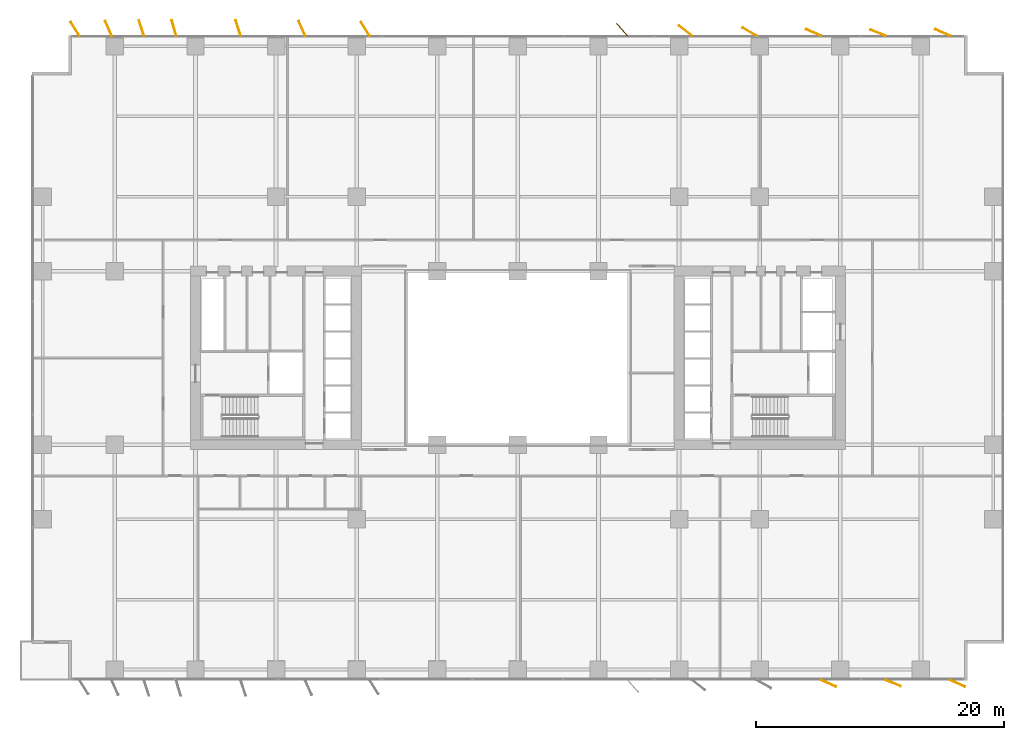
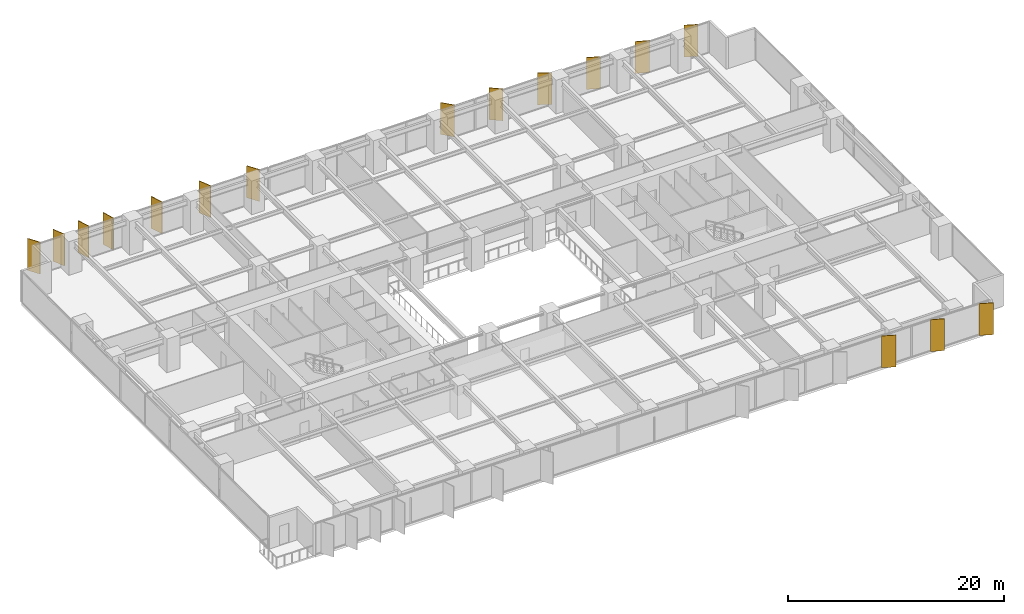
# One storey, part 21 of 21: 16 shading devices.
"""IFC4 building model written with IfcOpenShell, lengths in metres."""

from ifc_helpers import new_model, si_unit, direction, frame, origin, origin_2d, place, context, subcontext, project, spatial, rectangle, extrude, material, layer, layer_set, type_object, element, save


model = new_model("IFC4")

# Units and contexts
model_context = context("Model", 3, precision=1e-05, world=origin(), true_north=direction((0.0, 1.0)))
body_context = subcontext(model_context, "Body", "Model", "MODEL_VIEW")
ifc_project = project(units=[si_unit("LENGTHUNIT", "METRE"), si_unit("AREAUNIT", "SQUARE_METRE"), si_unit("VOLUMEUNIT", "CUBIC_METRE"), si_unit("PLANEANGLEUNIT", "RADIAN"), si_unit("MASSUNIT", "GRAM", prefix="KILO")], contexts=[model_context])

# Site, building, storey
site_placement = place(None, origin())
site = spatial("IfcSite", under=ifc_project, at=site_placement, CompositionType="ELEMENT")
building_placement = place(site_placement, origin())
building = spatial("IfcBuilding", under=site, at=building_placement, Name="Putna Gate Headquarters", CompositionType="ELEMENT")
storey_placement = place(building_placement, frame((0.0, 0.0, 39.199951171875)))
storey = spatial("IfcBuildingStorey", under=building, at=storey_placement, Name="L08", CompositionType="ELEMENT", Elevation=39.199951171875)

# Shading devices
ifc_material = material(Name="Anodised architectural bronze aluminium fin", Category="aluminium")
ifc_layer = layer(ifc_material, 0.06494140625)
ifc_layer_set = layer_set([ifc_layer], Name="Anodised architectural bronze aluminium fin")
shading_device_type = type_object("IfcShadingDeviceType", Name="SHADE-BRONZE-FIN-1320", PredefinedType="USERDEFINED", material=ifc_layer_set)
for number, where, z_axis, x_axis, name in (
    (1, (3.2998046875, 52.534423828125, -0.02001953125), (0.0, 0.0, 1.0), (-0.530659123936, 0.847585331506, 0.0), "L08 Bronze Vertical Shading Fin N1"),
    (2, (5.985595703125, 52.57958984375, -0.02001953125), (0.0, 0.0, 1.0), (-0.400668879095, 0.916222925562, 0.0), "L08 Bronze Vertical Shading Fin N2"),
    (3, (8.646240234375, 52.602783203125, -0.02001953125), (0.0, 0.0, 1.0), (-0.308684994204, 0.951164325631, 0.0), "L08 Bronze Vertical Shading Fin N3"),
    (4, (11.26806640625, 52.609375, -0.02001953125), (0.0, 0.0, 1.0), (-0.275637355817, 0.961261695938, 0.0), "L08 Bronze Vertical Shading Fin N4"),
    (5, (16.4462890625, 52.602783203125, -0.02001953125), (0.0, 0.0, 1.0), (-0.308684994204, 0.951164325631, 0.0), "L08 Bronze Vertical Shading Fin N5"),
    (6, (21.585693359375, 52.57958984375, -0.02001953125), (0.0, 0.0, 1.0), (-0.400668879095, 0.916222925562, 0.0), "L08 Bronze Vertical Shading Fin N6"),
    (7, (26.69970703125, 52.534423828125, -0.02001953125), (0.0, 0.0, 1.0), (-0.530659123936, 0.847585331506, 0.0), "L08 Bronze Vertical Shading Fin N7"),
    (8, (47.408447265625, 52.465576171875, -0.02001953125), (0.0, 0.0, 1.0), (-0.669130606359, 0.743144825477, 0.0), "L08 Bronze Vertical Shading Fin N8"),
    (9, (52.5302734375, 52.3818359375, -0.02001953125), (0.0, 0.0, 1.0), (-0.787473187632, 0.616348909921, 0.0), "L08 Bronze Vertical Shading Fin N9"),
    (10, (57.67626953125, 52.30126953125, -0.02001953125), (0.0, 0.0, 1.0), (-0.869322458298, 0.494245347472, 0.0), "L08 Bronze Vertical Shading Fin N10"),
    (11, (64.052978515625, -0.2431640625, -0.02001953125), (0.0, 0.0, 1.0), (0.913687379856, -0.40641773078, 0.0), "L08 Bronze Vertical Shading Fin S11"),
    (12, (62.846923828125, 52.2431640625, -0.02001953125), (0.0, 0.0, 1.0), (-0.913687379856, 0.40641773078, 0.0), "L08 Bronze Vertical Shading Fin N11"),
    (13, (69.261962890625, -0.22216796875, -0.02001953125), (0.0, 0.0, 1.0), (0.927183854567, -0.374606593416, 0.0), "L08 Bronze Vertical Shading Fin S12"),
    (14, (68.0380859375, 52.22216796875, -0.02001953125), (0.0, 0.0, 1.0), (-0.927183854567, 0.374606593416, 0.0), "L08 Bronze Vertical Shading Fin N12"),
    (15, (74.452880859375, -0.2431640625, -0.02001953125), (0.0, 0.0, 1.0), (0.913687379856, -0.40641773078, 0.0), "L08 Bronze Vertical Shading Fin S13"),
    (16, (73.2470703125, 52.2431640625, -0.02001953125), (0.0, 0.0, 1.0), (-0.913687379856, 0.40641773078, 0.0), "L08 Bronze Vertical Shading Fin N13"),
):
    element("IfcShadingDevice", number, at=place(storey_placement, frame(where, z_axis=z_axis, x_axis=x_axis)), inside=storey, type_object=shading_device_type, Name=name, ObjectType="FIN", PredefinedType="USERDEFINED", context=body_context, shape_type="SweptSolid", body=[
        extrude(rectangle(XDim=1.320068359375, YDim=0.06494140625, at=origin_2d()), origin(), (0.0, 0.0, 1.0), 3.590087890625),
    ])

save(model, "model.ifc")
